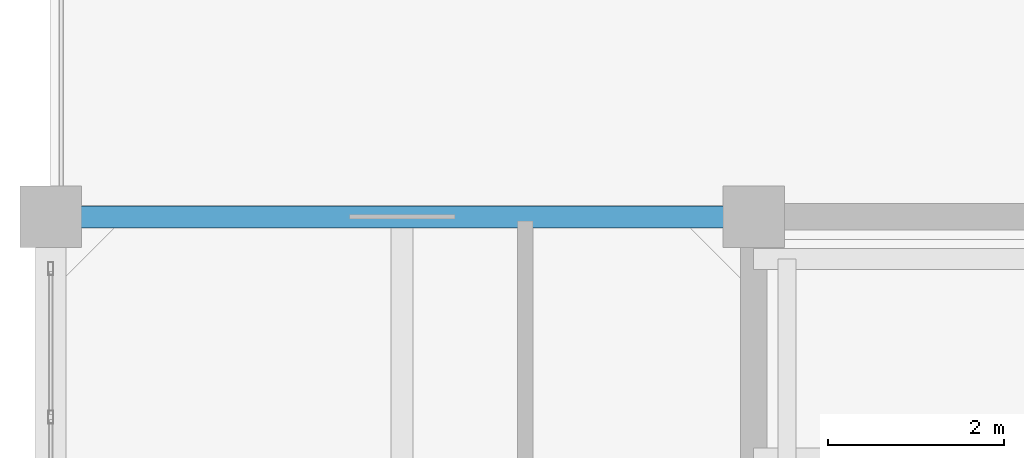
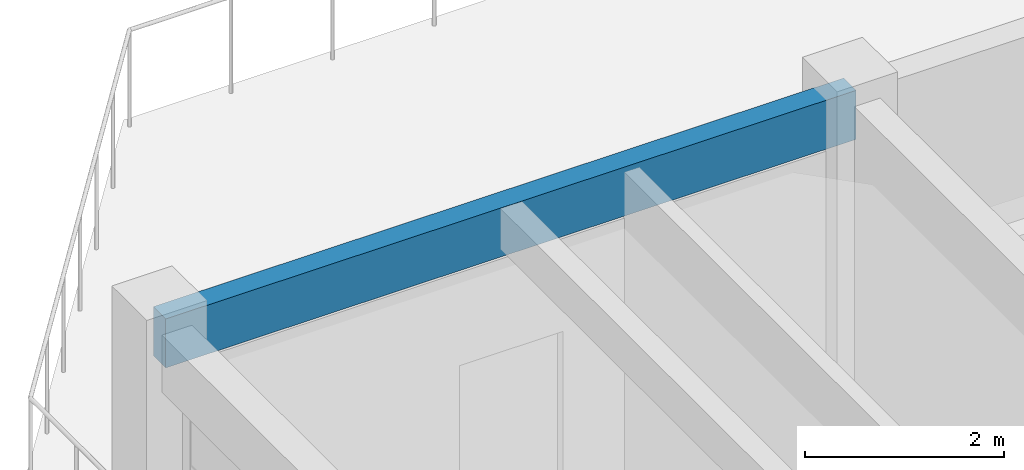
# One storey, part 11 of 19: 1 beam.
"""IFC4 building model written with IfcOpenShell, lengths in metres."""

import ifcopenshell
import ifcopenshell.guid

model = None  # the IFC model being written
_history = None  # IfcOwnerHistory: only IFC2X3 demands one
_inside = {}  # id of a spatial element -> (the spatial element, [elements in it])
_under = {}  # id of a project, library or spatial element -> (it, [spatial elements below it])
_declared = {}  # id of a project -> (the project, [libraries it declares])
_typed = {}  # id of a type object -> (the type object, [elements of that type])
_made_of = {}  # id of a material, layer set ... -> (it, [elements and type objects made of it])


def new_model(schema):
    """Start an empty IFC model of exactly this schema.

    Asked for "IFC4X3", IfcOpenShell would pick the latest addendum, in which some entities
    have other attributes; the version numbers below select the first issue.
    IFC2X3 requires an IfcOwnerHistory on every rooted entity: one is made here for all.
    """
    global model, _history
    if schema == "IFC4X3":
        model = ifcopenshell.file(schema_version=(4, 3, 0, 0))
    else:
        model = ifcopenshell.file(schema=schema)
    _inside.clear()
    _under.clear()
    _declared.clear()
    _typed.clear()
    _made_of.clear()
    _history = None
    if model.schema == "IFC2X3":
        org = make("IfcOrganization", Name="unknown")
        user = make(
            "IfcPersonAndOrganization",
            ThePerson=make("IfcPerson", FamilyName="unknown"),
            TheOrganization=org,
        )
        app = make(
            "IfcApplication",
            ApplicationDeveloper=org,
            Version="unknown",
            ApplicationFullName="unknown",
            ApplicationIdentifier="unknown",
        )
        _history = make(
            "IfcOwnerHistory",
            OwningUser=user,
            OwningApplication=app,
            ChangeAction="ADDED",
            CreationDate=0,
        )
    return model


def make(cls, **values):
    """One entity of the class cls with the attributes given. An attribute that is None is left unset."""
    return model.create_entity(
        cls, **{name: value for name, value in values.items() if value is not None}
    )


def rooted(cls, **values):
    """An entity with a GlobalId (a new one), such as an element, a storey or a relation."""
    return make(cls, GlobalId=ifcopenshell.guid.new(), OwnerHistory=_history, **values)


def si_unit(unit_type, name, prefix=None):
    """IfcSIUnit, for example si_unit("LENGTHUNIT", "METRE", prefix="MILLI")."""
    return make("IfcSIUnit", UnitType=unit_type, Prefix=prefix, Name=name)


def assignment(units):
    """IfcUnitAssignment: the units of a project."""
    return None if units is None else make("IfcUnitAssignment", Units=units)


def point(xyz):
    """IfcCartesianPoint."""
    return None if xyz is None else make("IfcCartesianPoint", Coordinates=xyz)


def direction(xyz):
    """IfcDirection."""
    return None if xyz is None else make("IfcDirection", DirectionRatios=xyz)


def frame(location, z_axis=None, x_axis=None):
    """IfcAxis2Placement3D, a coordinate frame: its origin and axes. An axis left out is left unset."""
    return make(
        "IfcAxis2Placement3D",
        Location=point(location),
        Axis=direction(z_axis),
        RefDirection=direction(x_axis),
    )


def frame_2d(location, x_axis=None):
    """IfcAxis2Placement2D, a coordinate frame in the plane: its origin and x axis."""
    return make(
        "IfcAxis2Placement2D", Location=point(location), RefDirection=direction(x_axis)
    )


def origin():
    """The frame at (0, 0, 0) with its axes left unset."""
    return frame((0.0, 0.0, 0.0))


def origin_2d():
    """The frame at (0, 0) in the plane with its x axis left unset."""
    return frame_2d((0.0, 0.0))


def place(relative_to, where):
    """IfcLocalPlacement: puts the frame where relative to a parent placement (None: the world)."""
    return make(
        "IfcLocalPlacement", PlacementRelTo=relative_to, RelativePlacement=where
    )


def context(
    kind, dimensions, precision=None, world=None, true_north=None, identifier=None
):
    """IfcGeometricRepresentationContext, for example the 3D "Model" context."""
    return make(
        "IfcGeometricRepresentationContext",
        ContextIdentifier=identifier,
        ContextType=kind,
        CoordinateSpaceDimension=dimensions,
        Precision=precision,
        WorldCoordinateSystem=world,
        TrueNorth=true_north,
    )


def subcontext(parent, identifier, kind, view, scale=None):
    """IfcGeometricRepresentationSubContext, for example "Body" below "Model"."""
    return make(
        "IfcGeometricRepresentationSubContext",
        ContextIdentifier=identifier,
        ContextType=kind,
        ParentContext=parent,
        TargetScale=scale,
        TargetView=view,
    )


def project(units=None, contexts=None):
    """IfcProject with its units and contexts."""
    return rooted(
        "IfcProject",
        Name="project",
        RepresentationContexts=contexts,
        UnitsInContext=assignment(units),
    )


def spatial(cls, under=None, at=None, **own):
    """A site, building, storey or space (cls), placed at a placement, below another one or the project."""
    s = rooted(cls, ObjectPlacement=at, **own)
    if under is not None:
        _under.setdefault(under.id(), (under, []))[1].append(s)
    return s


def profile(cls, at=None, kind="AREA", **sizes):
    """A parametric profile (cls). Its sizes go by their IFC names, for example OverallWidth=200.0."""
    return make(cls, ProfileType=kind, Position=at, **sizes)


def rectangle(**sizes):
    """IfcRectangleProfileDef."""
    return profile("IfcRectangleProfileDef", **sizes)


def extrude(swept, where, along, depth):
    """IfcExtrudedAreaSolid: the profile swept, set in the frame where, extruded along a direction by depth."""
    return make(
        "IfcExtrudedAreaSolid",
        SweptArea=swept,
        Position=where,
        ExtrudedDirection=direction(along),
        Depth=depth,
    )


def shape(context_of_items, identifier, shape_type, items):
    """IfcShapeRepresentation: the items that make up one representation, for example the "Body"."""
    return make(
        "IfcShapeRepresentation",
        ContextOfItems=context_of_items,
        RepresentationIdentifier=identifier,
        RepresentationType=shape_type,
        Items=items,
    )


def material(Name=None, Category=None):
    """IfcMaterial."""
    return make("IfcMaterial", Name=Name, Category=Category)


def material_profile(
    of_material, cross_section, Name=None, Category=None, Priority=None
):
    """IfcMaterialProfile: a cross section and its material."""
    return make(
        "IfcMaterialProfile",
        Name=Name,
        Material=of_material,
        Profile=cross_section,
        Priority=Priority,
        Category=Category,
    )


def profile_set(profiles, Name=None, composite=None):
    """IfcMaterialProfileSet."""
    return make(
        "IfcMaterialProfileSet",
        Name=Name,
        MaterialProfiles=profiles,
        CompositeProfile=composite,
    )


def made_of(thing, what):
    """Note that an element or type object is made of a material, layer set ...; save() writes the relation."""
    if what is not None:
        _made_of.setdefault(what.id(), (what, []))[1].append(thing)
    return thing


def type_object(cls, material=None, **own):
    """A type object (cls), such as IfcWallType, which elements share."""
    return made_of(rooted(cls, **own), material)


def element(
    cls,
    number,
    at=None,
    inside=None,
    cuts=None,
    type_object=None,
    material=None,
    context=None,
    identifier="Body",
    shape_type=None,
    held_by="IfcProductDefinitionShape",
    body=None,
    shapes=None,
    **own,
):
    """One element of the class cls, such as IfcWall. Its Tag is "e" and its number.

    at: its placement. inside: the storey or other place that contains it. cuts: it is an
    opening in that element (IfcRelVoidsElement). A single representation is given by context,
    identifier, shape_type and body (its items); several are given by shapes. held_by: the class
    of the entity that holds the representations. save() writes the other relations.
    """
    e = rooted(cls, Tag="e%d" % number, ObjectPlacement=at, **own)
    if body is not None:
        shapes = [shape(context, identifier, shape_type, body)]
    if shapes is not None:
        e.Representation = make(held_by, Representations=shapes)
    if inside is not None:
        _inside.setdefault(inside.id(), (inside, []))[1].append(e)
    if cuts is not None:
        rooted(
            "IfcRelVoidsElement", RelatingBuildingElement=cuts, RelatedOpeningElement=e
        )
    if type_object is not None:
        _typed.setdefault(type_object.id(), (type_object, []))[1].append(e)
    return made_of(e, material)


def aggregate(whole, parts):
    """IfcRelAggregates: a whole, such as a stair, and the parts it consists of."""
    return rooted("IfcRelAggregates", RelatingObject=whole, RelatedObjects=parts)


def save(model, path):
    """Write the relations noted so far, then the file.

    IfcRelAggregates (storeys below a building ...), IfcRelContainedInSpatialStructure (elements
    in a storey), IfcRelDefinesByType, IfcRelAssociatesMaterial and IfcRelDeclares: one each for
    every whole, place, type object, material and project.
    """
    for whole, parts in _under.values():
        aggregate(whole, parts)
    for where, things in _inside.values():
        rooted(
            "IfcRelContainedInSpatialStructure",
            RelatedElements=things,
            RelatingStructure=where,
        )
    for kind, things in _typed.values():
        rooted("IfcRelDefinesByType", RelatedObjects=things, RelatingType=kind)
    for what, things in _made_of.values():
        rooted("IfcRelAssociatesMaterial", RelatedObjects=things, RelatingMaterial=what)
    for by, libraries in _declared.values():
        rooted("IfcRelDeclares", RelatingContext=by, RelatedDefinitions=libraries)
    model.write(path)


model = new_model("IFC4")

# Units and contexts
model_context = context("Model", 3, precision=1e-05, world=origin(), true_north=direction((0.0, 1.0)))
body_context = subcontext(model_context, "Body", "Model", "MODEL_VIEW")
ifc_project = project(units=[si_unit("LENGTHUNIT", "METRE"), si_unit("AREAUNIT", "SQUARE_METRE"), si_unit("VOLUMEUNIT", "CUBIC_METRE"), si_unit("PLANEANGLEUNIT", "RADIAN"), si_unit("MASSUNIT", "GRAM", prefix="KILO")], contexts=[model_context])

# Site, building, storey
site_placement = place(None, origin())
site = spatial("IfcSite", under=ifc_project, at=site_placement, CompositionType="ELEMENT")
building_placement = place(site_placement, origin())
building = spatial("IfcBuilding", under=site, at=building_placement, Name="Canggui Botanical Conservatory", CompositionType="ELEMENT")
storey_placement = place(building_placement, frame((0.0, 0.0, 48.60009765625)))
storey = spatial("IfcBuildingStorey", under=building, at=storey_placement, Name="L12", CompositionType="ELEMENT", Elevation=48.60009765625)

# Beam
ifc_material = material(Name="Concrete C35", Category="concrete")
ifc_material_profile = material_profile(ifc_material, rectangle(XDim=0.25, YDim=0.60009765625, at=origin_2d()), Name="RB 250x600")
ifc_profile_set = profile_set([ifc_material_profile], Name="Concrete C35")
beam_type = type_object("IfcBeamType", Name="BM-SPD02", PredefinedType="SPANDREL", material=ifc_profile_set)
beam_placement = place(storey_placement, frame((146.0, 66.0, 3.659912109375), z_axis=(1.0, 0.0, 0.0), x_axis=(0.0, 1.0, 0.0)))
element("IfcBeam", 1, at=beam_placement, inside=storey, type_object=beam_type, Name="Frame Girder L12 Y66-1", PredefinedType="SPANDREL", context=body_context, shape_type="SweptSolid", body=[
    extrude(rectangle(XDim=0.25, YDim=0.60009765625, at=origin_2d()), origin(), (0.0, 0.0, 1.0), 8.0),
])

save(model, "model.ifc")
